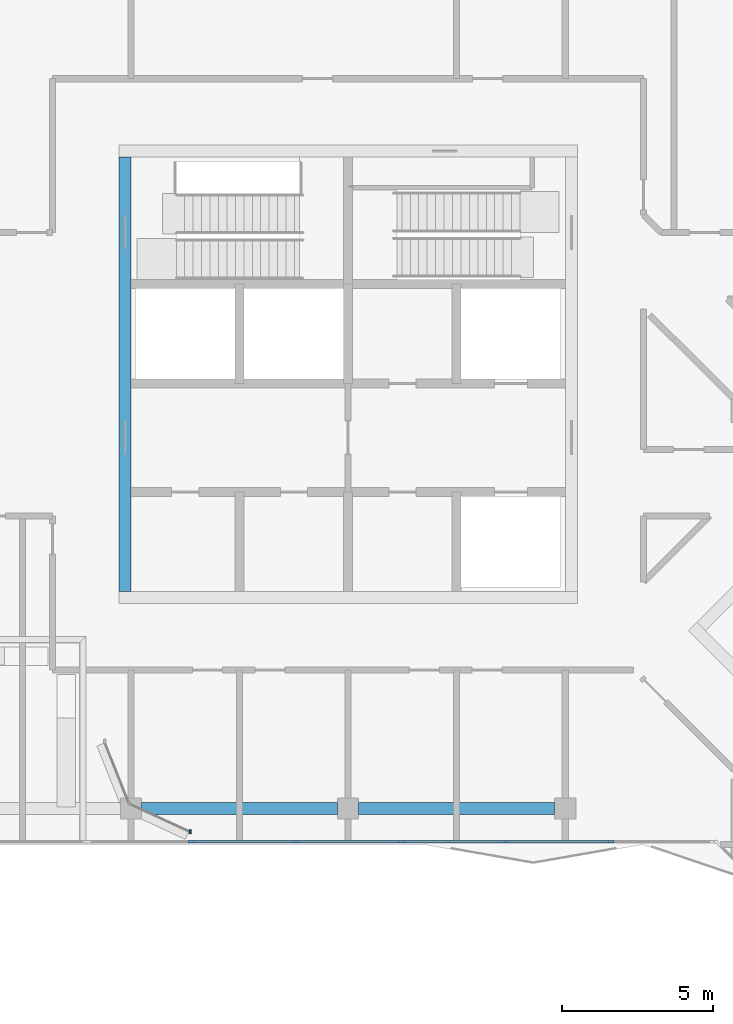
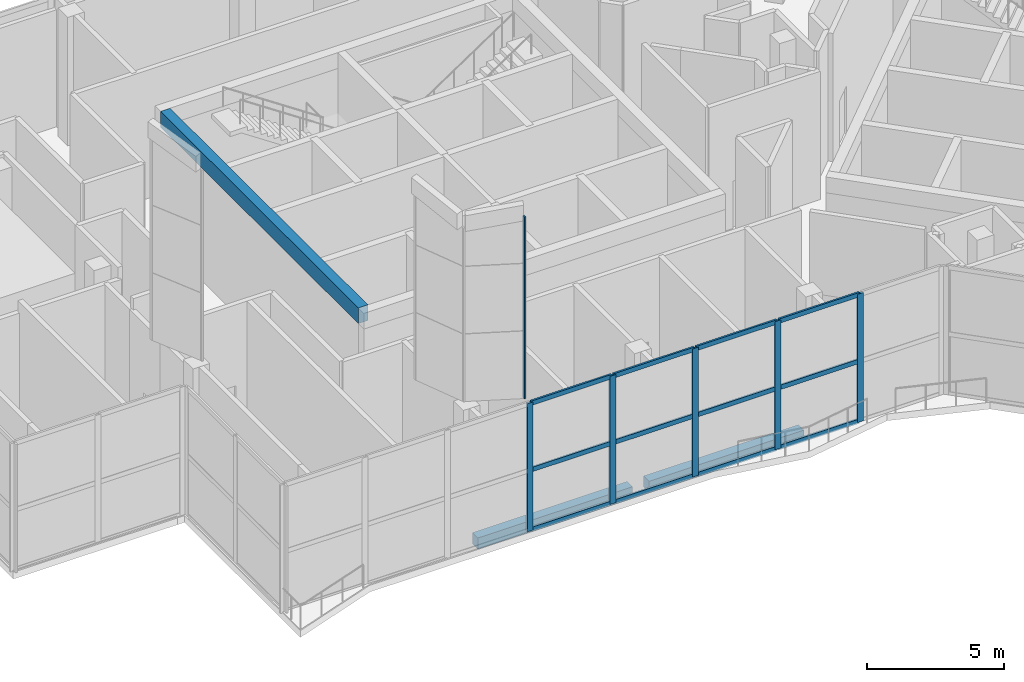
# One storey, part 4 of 19: 18 members, 3 beams, 2 elements without a shape of their own.
"""IFC4 building model written with IfcOpenShell, lengths in metres."""

from ifc_helpers import new_model, si_unit, direction, frame, origin, origin_2d, place, context, subcontext, project, spatial, rectangle, extrude, material, material_profile, profile_set, type_object, element, aggregate, save


model = new_model("IFC4")

# Units and contexts
model_context = context("Model", 3, precision=1e-05, world=origin(), true_north=direction((0.0, 1.0)))
body_context = subcontext(model_context, "Body", "Model", "MODEL_VIEW")
ifc_project = project(units=[si_unit("LENGTHUNIT", "METRE"), si_unit("AREAUNIT", "SQUARE_METRE"), si_unit("VOLUMEUNIT", "CUBIC_METRE"), si_unit("PLANEANGLEUNIT", "RADIAN"), si_unit("MASSUNIT", "GRAM", prefix="KILO")], contexts=[model_context])

# Site, building, storey
site_placement = place(None, origin())
site = spatial("IfcSite", under=ifc_project, at=site_placement, CompositionType="ELEMENT")
building_placement = place(site_placement, origin())
building = spatial("IfcBuilding", under=site, at=building_placement, Name="Windrow Commons", CompositionType="ELEMENT")
storey_placement = place(building_placement, frame((0.0, 0.0, 284.6)))
storey = spatial("IfcBuildingStorey", under=building, at=storey_placement, Name="L78", CompositionType="ELEMENT", Elevation=284.6)

# Curtain wall, members
ifc_material_1 = material(Name="Clear laminated glass in Aluminium 6063-T6 anodised frame", Category="aluminium")
curtain_wall_type_1 = type_object("IfcCurtainWallType", Name="Curtain wall CW3 damper floor", PredefinedType="USERDEFINED", material=ifc_material_1)
placement = place(storey_placement, origin())
curtain_wall_1 = element("IfcCurtainWall", 1, at=placement, inside=storey, type_object=curtain_wall_type_1, Name="Curtain wall CW3 L78 13", ObjectType="STRUCTURAL SILICONE", PredefinedType="USERDEFINED")
ifc_material_2 = material(Name="Aluminium 6063-T6", Category="aluminium")
ifc_material_profile_1 = material_profile(ifc_material_2, rectangle(XDim=0.08, YDim=0.25, at=origin_2d()))
ifc_profile_set_1 = profile_set([ifc_material_profile_1], Name="Aluminium 6063-T6")
member_type_1 = type_object("IfcMemberType", Name="CW3 mullion 80x250", PredefinedType="MULLION", material=ifc_profile_set_1)
member_1_placement = place(storey_placement, frame((59.6085, 42.1, 0.0), z_axis=(0.0, 0.0, 1.0), x_axis=(0.0, 1.0, 0.0)))
member_1 = element("IfcMember", 2, at=member_1_placement, type_object=member_type_1, Name="CW3 mullion 4", PredefinedType="MULLION", context=body_context, shape_type="SweptSolid", body=[
    extrude(rectangle(XDim=0.08, YDim=0.25, at=origin_2d()), origin(), (0.0, 0.0, 1.0), 5.7),
])
member_2_placement = place(storey_placement, frame((63.078, 42.1, 0.0), z_axis=(0.0, 0.0, 1.0), x_axis=(0.0, 1.0, 0.0)))
member_2 = element("IfcMember", 3, at=member_2_placement, type_object=member_type_1, Name="CW3 mullion 5", PredefinedType="MULLION", context=body_context, shape_type="SweptSolid", body=[
    extrude(rectangle(XDim=0.08, YDim=0.25, at=origin_2d()), origin(), (0.0, 0.0, 1.0), 5.7),
])
member_3_placement = place(storey_placement, frame((66.5474, 42.1, 0.0), z_axis=(0.0, 0.0, 1.0), x_axis=(0.0, 1.0, 0.0)))
member_3 = element("IfcMember", 4, at=member_3_placement, type_object=member_type_1, Name="CW3 mullion 6", PredefinedType="MULLION", context=body_context, shape_type="SweptSolid", body=[
    extrude(rectangle(XDim=0.08, YDim=0.25, at=origin_2d()), origin(), (0.0, 0.0, 1.0), 5.7),
])
member_4_placement = place(storey_placement, frame((70.0169, 42.1, 0.0), z_axis=(0.0, 0.0, 1.0), x_axis=(0.0, 1.0, 0.0)))
member_4 = element("IfcMember", 5, at=member_4_placement, type_object=member_type_1, Name="CW3 mullion 7", PredefinedType="MULLION", context=body_context, shape_type="SweptSolid", body=[
    extrude(rectangle(XDim=0.08, YDim=0.25, at=origin_2d()), origin(), (0.0, 0.0, 1.0), 5.7),
])
member_5_placement = place(storey_placement, frame((73.4864, 42.1, 0.0), z_axis=(0.0, 0.0, 1.0), x_axis=(0.0, 1.0, 0.0)))
member_5 = element("IfcMember", 6, at=member_5_placement, type_object=member_type_1, Name="CW3 mullion 8", PredefinedType="MULLION", context=body_context, shape_type="SweptSolid", body=[
    extrude(rectangle(XDim=0.08, YDim=0.25, at=origin_2d()), origin(), (0.0, 0.0, 1.0), 5.7),
])
ifc_material_3 = material(Name="Aluminium 6063-T6", Category="aluminium")
ifc_material_profile_2 = material_profile(ifc_material_3, rectangle(XDim=0.08, YDim=0.2, at=origin_2d()))
ifc_profile_set_2 = profile_set([ifc_material_profile_2], Name="Aluminium 6063-T6")
member_type_2 = type_object("IfcMemberType", Name="CW3 transom 80x200", PredefinedType="USERDEFINED", material=ifc_profile_set_2)
member_6_placement = place(storey_placement, frame((59.6485, 42.1, 0.04), z_axis=(1.0, 0.0, 0.0), x_axis=(0.0, 1.0, 0.0)))
member_6 = element("IfcMember", 7, at=member_6_placement, type_object=member_type_2, Name="CW3 transom 4.1", ObjectType="TRANSOM", PredefinedType="USERDEFINED", context=body_context, shape_type="SweptSolid", body=[
    extrude(rectangle(XDim=0.08, YDim=0.2, at=origin_2d()), origin(), (0.0, 0.0, 1.0), 3.3895),
])
member_7_placement = place(storey_placement, frame((59.6485, 42.1, 2.7), z_axis=(1.0, 0.0, 0.0), x_axis=(0.0, 1.0, 0.0)))
member_7 = element("IfcMember", 8, at=member_7_placement, type_object=member_type_2, Name="CW3 transom 4.2", ObjectType="TRANSOM", PredefinedType="USERDEFINED", context=body_context, shape_type="SweptSolid", body=[
    extrude(rectangle(XDim=0.08, YDim=0.2, at=origin_2d()), origin(), (0.0, 0.0, 1.0), 3.3895),
])
member_8_placement = place(storey_placement, frame((59.6485, 42.1, 5.66), z_axis=(1.0, 0.0, 0.0), x_axis=(0.0, 1.0, 0.0)))
member_8 = element("IfcMember", 9, at=member_8_placement, type_object=member_type_2, Name="CW3 transom 4.3", ObjectType="TRANSOM", PredefinedType="USERDEFINED", context=body_context, shape_type="SweptSolid", body=[
    extrude(rectangle(XDim=0.08, YDim=0.2, at=origin_2d()), origin(), (0.0, 0.0, 1.0), 3.3895),
])
member_9_placement = place(storey_placement, frame((63.118, 42.1, 0.04), z_axis=(1.0, 0.0, 0.0), x_axis=(0.0, 1.0, 0.0)))
member_9 = element("IfcMember", 10, at=member_9_placement, type_object=member_type_2, Name="CW3 transom 5.1", ObjectType="TRANSOM", PredefinedType="USERDEFINED", context=body_context, shape_type="SweptSolid", body=[
    extrude(rectangle(XDim=0.08, YDim=0.2, at=origin_2d()), origin(), (0.0, 0.0, 1.0), 3.3894),
])
member_10_placement = place(storey_placement, frame((63.118, 42.1, 2.7), z_axis=(1.0, 0.0, 0.0), x_axis=(0.0, 1.0, 0.0)))
member_10 = element("IfcMember", 11, at=member_10_placement, type_object=member_type_2, Name="CW3 transom 5.2", ObjectType="TRANSOM", PredefinedType="USERDEFINED", context=body_context, shape_type="SweptSolid", body=[
    extrude(rectangle(XDim=0.08, YDim=0.2, at=origin_2d()), origin(), (0.0, 0.0, 1.0), 3.3894),
])
member_11_placement = place(storey_placement, frame((63.118, 42.1, 5.66), z_axis=(1.0, 0.0, 0.0), x_axis=(0.0, 1.0, 0.0)))
member_11 = element("IfcMember", 12, at=member_11_placement, type_object=member_type_2, Name="CW3 transom 5.3", ObjectType="TRANSOM", PredefinedType="USERDEFINED", context=body_context, shape_type="SweptSolid", body=[
    extrude(rectangle(XDim=0.08, YDim=0.2, at=origin_2d()), origin(), (0.0, 0.0, 1.0), 3.3894),
])
member_12_placement = place(storey_placement, frame((66.5874, 42.1, 0.04), z_axis=(1.0, 0.0, 0.0), x_axis=(0.0, 1.0, 0.0)))
member_12 = element("IfcMember", 13, at=member_12_placement, type_object=member_type_2, Name="CW3 transom 6.1", ObjectType="TRANSOM", PredefinedType="USERDEFINED", context=body_context, shape_type="SweptSolid", body=[
    extrude(rectangle(XDim=0.08, YDim=0.2, at=origin_2d()), origin(), (0.0, 0.0, 1.0), 3.3895),
])
member_13_placement = place(storey_placement, frame((66.5874, 42.1, 2.7), z_axis=(1.0, 0.0, 0.0), x_axis=(0.0, 1.0, 0.0)))
member_13 = element("IfcMember", 14, at=member_13_placement, type_object=member_type_2, Name="CW3 transom 6.2", ObjectType="TRANSOM", PredefinedType="USERDEFINED", context=body_context, shape_type="SweptSolid", body=[
    extrude(rectangle(XDim=0.08, YDim=0.2, at=origin_2d()), origin(), (0.0, 0.0, 1.0), 3.3895),
])
member_14_placement = place(storey_placement, frame((66.5874, 42.1, 5.66), z_axis=(1.0, 0.0, 0.0), x_axis=(0.0, 1.0, 0.0)))
member_14 = element("IfcMember", 15, at=member_14_placement, type_object=member_type_2, Name="CW3 transom 6.3", ObjectType="TRANSOM", PredefinedType="USERDEFINED", context=body_context, shape_type="SweptSolid", body=[
    extrude(rectangle(XDim=0.08, YDim=0.2, at=origin_2d()), origin(), (0.0, 0.0, 1.0), 3.3895),
])
member_15_placement = place(storey_placement, frame((70.0569, 42.1, 0.04), z_axis=(1.0, 0.0, 0.0), x_axis=(0.0, 1.0, 0.0)))
member_15 = element("IfcMember", 16, at=member_15_placement, type_object=member_type_2, Name="CW3 transom 7.1", ObjectType="TRANSOM", PredefinedType="USERDEFINED", context=body_context, shape_type="SweptSolid", body=[
    extrude(rectangle(XDim=0.08, YDim=0.2, at=origin_2d()), origin(), (0.0, 0.0, 1.0), 3.3895),
])
member_16_placement = place(storey_placement, frame((70.0569, 42.1, 2.7), z_axis=(1.0, 0.0, 0.0), x_axis=(0.0, 1.0, 0.0)))
member_16 = element("IfcMember", 17, at=member_16_placement, type_object=member_type_2, Name="CW3 transom 7.2", ObjectType="TRANSOM", PredefinedType="USERDEFINED", context=body_context, shape_type="SweptSolid", body=[
    extrude(rectangle(XDim=0.08, YDim=0.2, at=origin_2d()), origin(), (0.0, 0.0, 1.0), 3.3895),
])
member_17_placement = place(storey_placement, frame((70.0569, 42.1, 5.66), z_axis=(1.0, 0.0, 0.0), x_axis=(0.0, 1.0, 0.0)))
member_17 = element("IfcMember", 18, at=member_17_placement, type_object=member_type_2, Name="CW3 transom 7.3", ObjectType="TRANSOM", PredefinedType="USERDEFINED", context=body_context, shape_type="SweptSolid", body=[
    extrude(rectangle(XDim=0.08, YDim=0.2, at=origin_2d()), origin(), (0.0, 0.0, 1.0), 3.3895),
])
aggregate(curtain_wall_1, [member_1, member_2, member_3, member_4, member_5, member_6, member_7, member_8, member_9, member_10, member_11, member_12, member_13, member_14, member_15, member_16, member_17])

# Curtain wall, member
ifc_material_4 = material(Name="Laminated glass in anodised aluminium frame", Category="aluminium")
curtain_wall_type_2 = type_object("IfcCurtainWallType", Name="Curtain wall crown terrace screen", PredefinedType="USERDEFINED", material=ifc_material_4)
curtain_wall_2 = element("IfcCurtainWall", 19, at=placement, inside=storey, type_object=curtain_wall_type_2, Name="Glazed crown screen L78", ObjectType="STICK", PredefinedType="USERDEFINED")
ifc_material_5 = material(Name="Anodised aluminium", Category="aluminium")
ifc_material_profile_3 = material_profile(ifc_material_5, rectangle(XDim=0.06, YDim=0.12, at=origin_2d()))
ifc_profile_set_3 = profile_set([ifc_material_profile_3], Name="Anodised aluminium")
member_type_3 = type_object("IfcMemberType", Name="Crown screen mullion 60x120", PredefinedType="MULLION", material=ifc_profile_set_3)
member_18_placement = place(storey_placement, frame((59.5681, 42.4278, 5.7), z_axis=(0.0, 0.0, 1.0), x_axis=(1.0, 0.0, 0.0)))
member_18 = element("IfcMember", 20, at=member_18_placement, type_object=member_type_3, Name="Crown screen mullion L78", PredefinedType="MULLION", context=body_context, shape_type="SweptSolid", body=[
    extrude(rectangle(XDim=0.06, YDim=0.12, at=origin_2d()), origin(), (0.0, 0.0, 1.0), 8.0915),
])
aggregate(curtain_wall_2, [member_18])

# Beams
ifc_material_6 = material(Name="Concrete C40/50", Category="concrete")
ifc_material_profile_4 = material_profile(ifc_material_6, rectangle(XDim=0.4, YDim=0.7, at=origin_2d()))
ifc_profile_set_4 = profile_set([ifc_material_profile_4], Name="Concrete C40/50")
beam_type_1 = type_object("IfcBeamType", Name="RC COUPLING BEAM 400x700 C40/50", PredefinedType="LINTEL", material=ifc_profile_set_4)
beam_placement = place(storey_placement, frame((57.4, 50.4, 5.35), z_axis=(0.0, 1.0, 0.0), x_axis=(-1.0, 0.0, 0.0)))
element("IfcBeam", 21, at=beam_placement, inside=storey, type_object=beam_type_1, Name="Core A coupling beam outer-W", PredefinedType="LINTEL", context=body_context, shape_type="SweptSolid", body=[
    extrude(rectangle(XDim=0.4, YDim=0.7, at=origin_2d()), origin(), (0.0, 0.0, 1.0), 14.4),
])
ifc_material_7 = material(Name="Concrete C40/50", Category="concrete")
ifc_material_profile_5 = material_profile(ifc_material_7, rectangle(XDim=0.4, YDim=0.5, at=origin_2d()))
ifc_profile_set_5 = profile_set([ifc_material_profile_5], Name="Concrete C40/50")
beam_type_2 = type_object("IfcBeamType", Name="RC EDGE BEAM 400x500 C40/50", PredefinedType="SPANDREL", material=ifc_profile_set_5)
for number, where, z_axis, x_axis, name in (
    (22, (71.65, 43.2, -0.55), (-1.0, 0.0, 0.0), (0.0, -1.0, 0.0), "Edge beam L78 024"),
    (23, (64.45, 43.2, -0.55), (-1.0, 0.0, 0.0), (0.0, -1.0, 0.0), "Edge beam L78 025"),
):
    element("IfcBeam", number, at=place(storey_placement, frame(where, z_axis=z_axis, x_axis=x_axis)), inside=storey, type_object=beam_type_2, Name=name, PredefinedType="SPANDREL", context=body_context, shape_type="SweptSolid", body=[
        extrude(rectangle(XDim=0.4, YDim=0.5, at=origin_2d()), origin(), (0.0, 0.0, 1.0), 6.5),
    ])

save(model, "model.ifc")
